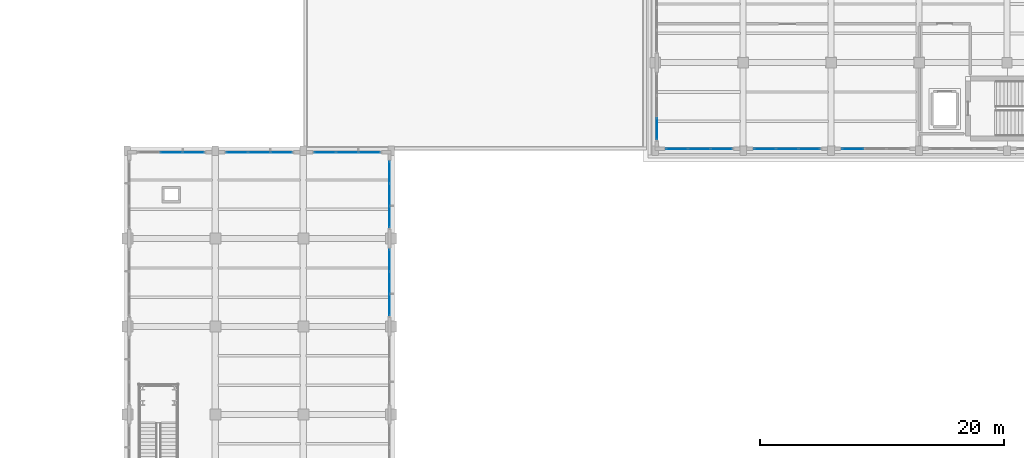
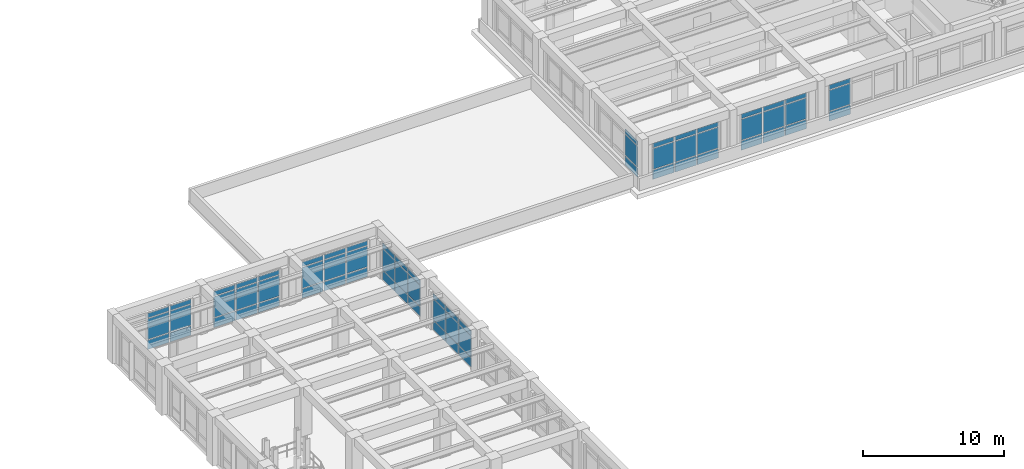
# One storey, part 41 of 69: 66 plates, 9 elements without a shape of their own.
"""IFC4 building model written with IfcOpenShell, lengths in metres."""

from ifc_helpers import new_model, si_unit, direction, frame, origin, origin_2d, place, context, subcontext, project, spatial, rectangle, extrude, material, layer, layer_set, type_object, element, aggregate, save


model = new_model("IFC4")

# Units and contexts
model_context = context("Model", 3, precision=1e-05, world=origin(), true_north=direction((0.0, 1.0)))
body_context = subcontext(model_context, "Body", "Model", "MODEL_VIEW")
ifc_project = project(units=[si_unit("LENGTHUNIT", "METRE"), si_unit("AREAUNIT", "SQUARE_METRE"), si_unit("VOLUMEUNIT", "CUBIC_METRE"), si_unit("PLANEANGLEUNIT", "RADIAN"), si_unit("MASSUNIT", "GRAM", prefix="KILO")], contexts=[model_context])

# Site, building, storey
site_placement = place(None, origin())
site = spatial("IfcSite", under=ifc_project, at=site_placement, CompositionType="ELEMENT")
building_placement = place(site_placement, origin())
building = spatial("IfcBuilding", under=site, at=building_placement, Name="Solenvale Faculty of Natural Sciences", CompositionType="ELEMENT")
storey_placement = place(building_placement, frame((0.0, 0.0, 4.5)))
storey = spatial("IfcBuildingStorey", under=building, at=storey_placement, Name="L01", CompositionType="ELEMENT", Elevation=4.5)

# Curtain wall, plates
ifc_material_1 = material(Name="Anodised bronze aluminium", Category="aluminium")
ifc_layer_1 = layer(ifc_material_1, 0.215087890625)
ifc_layer_set_1 = layer_set([ifc_layer_1], Name="Anodised bronze aluminium")
curtain_wall_type_1 = type_object("IfcCurtainWallType", Name="CW-ATR-UNIT", PredefinedType="USERDEFINED", material=ifc_layer_set_1)
curtain_wall_1_placement = place(storey_placement, origin())
curtain_wall_1 = element("IfcCurtainWall", 1, at=curtain_wall_1_placement, inside=storey, type_object=curtain_wall_type_1, Name="L01 Curtain Wall CW-L01-P1-E13-B1", ObjectType="UNITISED CURTAIN WALL", PredefinedType="USERDEFINED")
ifc_material_2 = material(Name="North-light skylight glass", Category="glass")
ifc_layer_2 = layer(ifc_material_2, 0.028076171875)
ifc_layer_set_2 = layer_set([ifc_layer_2], Name="North-light skylight glass")
plate_type_1 = type_object("IfcPlateType", Name="CWP-PNL-28", PredefinedType="CURTAIN_PANEL", material=ifc_layer_set_2)
plate_1_placement = place(storey_placement, frame((55.814697265625, 93.45751953125, 0.074951171875), z_axis=(0.0, 0.0, 1.0), x_axis=(-1.0, 0.0, 0.0)))
plate_1 = element("IfcPlate", 2, at=plate_1_placement, type_object=plate_type_1, Name="CW-01 panel 1.1", PredefinedType="CURTAIN_PANEL", context=body_context, shape_type="SweptSolid", body=[
    extrude(rectangle(XDim=1.720947265625, YDim=0.028076171875, at=origin_2d()), origin(), (0.0, 0.0, 1.0), 0.78759765625),
])
plate_2_placement = place(storey_placement, frame((55.814697265625, 93.45751953125, 0.9375), z_axis=(0.0, 0.0, 1.0), x_axis=(-1.0, 0.0, 0.0)))
plate_2 = element("IfcPlate", 3, at=plate_2_placement, type_object=plate_type_1, Name="CW-01 panel 1.2", PredefinedType="CURTAIN_PANEL", context=body_context, shape_type="SweptSolid", body=[
    extrude(rectangle(XDim=1.720947265625, YDim=0.028076171875, at=origin_2d()), origin(), (0.0, 0.0, 1.0), 1.784912109375),
])
plate_3_placement = place(storey_placement, frame((55.814697265625, 93.45751953125, 2.79736328125), z_axis=(0.0, 0.0, 1.0), x_axis=(-1.0, 0.0, 0.0)))
plate_3 = element("IfcPlate", 4, at=plate_3_placement, type_object=plate_type_1, Name="CW-01 panel 1.3", PredefinedType="CURTAIN_PANEL", context=body_context, shape_type="SweptSolid", body=[
    extrude(rectangle(XDim=1.720947265625, YDim=0.028076171875, at=origin_2d()), origin(), (0.0, 0.0, 1.0), 0.387451171875),
])
plate_4_placement = place(storey_placement, frame((54.0, 93.45751953125, 0.074951171875), z_axis=(0.0, 0.0, 1.0), x_axis=(-1.0, 0.0, 0.0)))
plate_4 = element("IfcPlate", 5, at=plate_4_placement, type_object=plate_type_1, Name="CW-01 panel 2.1", PredefinedType="CURTAIN_PANEL", context=body_context, shape_type="SweptSolid", body=[
    extrude(rectangle(XDim=1.75830078125, YDim=0.028076171875, at=origin_2d()), origin(), (0.0, 0.0, 1.0), 0.78759765625),
])
plate_5_placement = place(storey_placement, frame((54.0, 93.45751953125, 0.9375), z_axis=(0.0, 0.0, 1.0), x_axis=(-1.0, 0.0, 0.0)))
plate_5 = element("IfcPlate", 6, at=plate_5_placement, type_object=plate_type_1, Name="CW-01 panel 2.2", PredefinedType="CURTAIN_PANEL", context=body_context, shape_type="SweptSolid", body=[
    extrude(rectangle(XDim=1.75830078125, YDim=0.028076171875, at=origin_2d()), origin(), (0.0, 0.0, 1.0), 1.784912109375),
])
plate_6_placement = place(storey_placement, frame((54.0, 93.45751953125, 2.79736328125), z_axis=(0.0, 0.0, 1.0), x_axis=(-1.0, 0.0, 0.0)))
plate_6 = element("IfcPlate", 7, at=plate_6_placement, type_object=plate_type_1, Name="CW-01 panel 2.3", PredefinedType="CURTAIN_PANEL", context=body_context, shape_type="SweptSolid", body=[
    extrude(rectangle(XDim=1.75830078125, YDim=0.028076171875, at=origin_2d()), origin(), (0.0, 0.0, 1.0), 0.387451171875),
])
plate_7_placement = place(storey_placement, frame((52.185302734375, 93.45751953125, 0.074951171875), z_axis=(0.0, 0.0, 1.0), x_axis=(-1.0, 0.0, 0.0)))
plate_7 = element("IfcPlate", 8, at=plate_7_placement, type_object=plate_type_1, Name="CW-01 panel 3.1", PredefinedType="CURTAIN_PANEL", context=body_context, shape_type="SweptSolid", body=[
    extrude(rectangle(XDim=1.720947265625, YDim=0.028076171875, at=origin_2d()), origin(), (0.0, 0.0, 1.0), 0.78759765625),
])
plate_8_placement = place(storey_placement, frame((52.185302734375, 93.45751953125, 0.9375), z_axis=(0.0, 0.0, 1.0), x_axis=(-1.0, 0.0, 0.0)))
plate_8 = element("IfcPlate", 9, at=plate_8_placement, type_object=plate_type_1, Name="CW-01 panel 3.2", PredefinedType="CURTAIN_PANEL", context=body_context, shape_type="SweptSolid", body=[
    extrude(rectangle(XDim=1.720947265625, YDim=0.028076171875, at=origin_2d()), origin(), (0.0, 0.0, 1.0), 1.784912109375),
])
plate_9_placement = place(storey_placement, frame((52.185302734375, 93.45751953125, 2.79736328125), z_axis=(0.0, 0.0, 1.0), x_axis=(-1.0, 0.0, 0.0)))
plate_9 = element("IfcPlate", 10, at=plate_9_placement, type_object=plate_type_1, Name="CW-01 panel 3.3", PredefinedType="CURTAIN_PANEL", context=body_context, shape_type="SweptSolid", body=[
    extrude(rectangle(XDim=1.720947265625, YDim=0.028076171875, at=origin_2d()), origin(), (0.0, 0.0, 1.0), 0.387451171875),
])
aggregate(curtain_wall_1, [plate_1, plate_2, plate_3, plate_4, plate_5, plate_6, plate_7, plate_8, plate_9])

curtain_wall_2_placement = place(storey_placement, origin())
curtain_wall_2 = element("IfcCurtainWall", 11, at=curtain_wall_2_placement, inside=storey, type_object=curtain_wall_type_1, Name="L01 Curtain Wall CW-L01-P1-E13-B2", ObjectType="UNITISED CURTAIN WALL", PredefinedType="USERDEFINED")
ifc_material_3 = material(Name="Triple low-E insulated glass", Category="glass")
ifc_layer_3 = layer(ifc_material_3, 0.031982421875)
ifc_layer_set_3 = layer_set([ifc_layer_3], Name="Triple low-E insulated glass")
plate_type_2 = type_object("IfcPlateType", Name="CWP-PNL-32", PredefinedType="CURTAIN_PANEL", material=ifc_layer_set_3)
plate_10_placement = place(storey_placement, frame((48.614501953125, 93.45751953125, 0.074951171875), z_axis=(0.0, 0.0, 1.0), x_axis=(-1.0, 0.0, 0.0)))
plate_10 = element("IfcPlate", 12, at=plate_10_placement, type_object=plate_type_2, Name="CW-01 panel 1.1", PredefinedType="CURTAIN_PANEL", context=body_context, shape_type="SweptSolid", body=[
    extrude(rectangle(XDim=1.720947265625, YDim=0.031982421875, at=origin_2d()), origin(), (0.0, 0.0, 1.0), 0.78759765625),
])
plate_11_placement = place(storey_placement, frame((48.614501953125, 93.45751953125, 0.9375), z_axis=(0.0, 0.0, 1.0), x_axis=(-1.0, 0.0, 0.0)))
plate_11 = element("IfcPlate", 13, at=plate_11_placement, type_object=plate_type_2, Name="CW-01 panel 1.2", PredefinedType="CURTAIN_PANEL", context=body_context, shape_type="SweptSolid", body=[
    extrude(rectangle(XDim=1.720947265625, YDim=0.031982421875, at=origin_2d()), origin(), (0.0, 0.0, 1.0), 1.784912109375),
])
plate_12_placement = place(storey_placement, frame((48.614501953125, 93.45751953125, 2.79736328125), z_axis=(0.0, 0.0, 1.0), x_axis=(-1.0, 0.0, 0.0)))
plate_12 = element("IfcPlate", 14, at=plate_12_placement, type_object=plate_type_2, Name="CW-01 panel 1.3", PredefinedType="CURTAIN_PANEL", context=body_context, shape_type="SweptSolid", body=[
    extrude(rectangle(XDim=1.720947265625, YDim=0.031982421875, at=origin_2d()), origin(), (0.0, 0.0, 1.0), 0.387451171875),
])
plate_13_placement = place(storey_placement, frame((46.800048828125, 93.45751953125, 0.074951171875), z_axis=(0.0, 0.0, 1.0), x_axis=(-1.0, 0.0, 0.0)))
plate_13 = element("IfcPlate", 15, at=plate_13_placement, type_object=plate_type_2, Name="CW-01 panel 2.1", PredefinedType="CURTAIN_PANEL", context=body_context, shape_type="SweptSolid", body=[
    extrude(rectangle(XDim=1.75830078125, YDim=0.031982421875, at=origin_2d()), origin(), (0.0, 0.0, 1.0), 0.78759765625),
])
plate_14_placement = place(storey_placement, frame((46.800048828125, 93.45751953125, 0.9375), z_axis=(0.0, 0.0, 1.0), x_axis=(-1.0, 0.0, 0.0)))
plate_14 = element("IfcPlate", 16, at=plate_14_placement, type_object=plate_type_2, Name="CW-01 panel 2.2", PredefinedType="CURTAIN_PANEL", context=body_context, shape_type="SweptSolid", body=[
    extrude(rectangle(XDim=1.75830078125, YDim=0.031982421875, at=origin_2d()), origin(), (0.0, 0.0, 1.0), 1.784912109375),
])
plate_15_placement = place(storey_placement, frame((46.800048828125, 93.45751953125, 2.79736328125), z_axis=(0.0, 0.0, 1.0), x_axis=(-1.0, 0.0, 0.0)))
plate_15 = element("IfcPlate", 17, at=plate_15_placement, type_object=plate_type_2, Name="CW-01 panel 2.3", PredefinedType="CURTAIN_PANEL", context=body_context, shape_type="SweptSolid", body=[
    extrude(rectangle(XDim=1.75830078125, YDim=0.031982421875, at=origin_2d()), origin(), (0.0, 0.0, 1.0), 0.387451171875),
])
plate_16_placement = place(storey_placement, frame((44.9853515625, 93.45751953125, 0.074951171875), z_axis=(0.0, 0.0, 1.0), x_axis=(-1.0, 0.0, 0.0)))
plate_16 = element("IfcPlate", 18, at=plate_16_placement, type_object=plate_type_2, Name="CW-01 panel 3.1", PredefinedType="CURTAIN_PANEL", context=body_context, shape_type="SweptSolid", body=[
    extrude(rectangle(XDim=1.720947265625, YDim=0.031982421875, at=origin_2d()), origin(), (0.0, 0.0, 1.0), 0.78759765625),
])
plate_17_placement = place(storey_placement, frame((44.9853515625, 93.45751953125, 0.9375), z_axis=(0.0, 0.0, 1.0), x_axis=(-1.0, 0.0, 0.0)))
plate_17 = element("IfcPlate", 19, at=plate_17_placement, type_object=plate_type_2, Name="CW-01 panel 3.2", PredefinedType="CURTAIN_PANEL", context=body_context, shape_type="SweptSolid", body=[
    extrude(rectangle(XDim=1.720947265625, YDim=0.031982421875, at=origin_2d()), origin(), (0.0, 0.0, 1.0), 1.784912109375),
])
plate_18_placement = place(storey_placement, frame((44.9853515625, 93.45751953125, 2.79736328125), z_axis=(0.0, 0.0, 1.0), x_axis=(-1.0, 0.0, 0.0)))
plate_18 = element("IfcPlate", 20, at=plate_18_placement, type_object=plate_type_2, Name="CW-01 panel 3.3", PredefinedType="CURTAIN_PANEL", context=body_context, shape_type="SweptSolid", body=[
    extrude(rectangle(XDim=1.720947265625, YDim=0.031982421875, at=origin_2d()), origin(), (0.0, 0.0, 1.0), 0.387451171875),
])
aggregate(curtain_wall_2, [plate_10, plate_11, plate_12, plate_13, plate_14, plate_15, plate_16, plate_17, plate_18])

ifc_layer_4 = layer(ifc_material_1, 0.179931640625)
ifc_layer_set_4 = layer_set([ifc_layer_4], Name="Anodised bronze aluminium")
curtain_wall_type_2 = type_object("IfcCurtainWallType", Name="CW-TWR-MOD", PredefinedType="USERDEFINED", material=ifc_layer_set_4)
curtain_wall_3_placement = place(storey_placement, origin())
curtain_wall_3 = element("IfcCurtainWall", 21, at=curtain_wall_3_placement, inside=storey, type_object=curtain_wall_type_2, Name="L01 Curtain Wall CW-L01-P2-E6-B1", ObjectType="UNITISED CURTAIN WALL", PredefinedType="USERDEFINED")
plate_19_placement = place(storey_placement, frame((80.9853515625, 93.742431640625, 0.074951171875), z_axis=(0.0, 0.0, 1.0), x_axis=(1.0, 0.0, 0.0)))
plate_19 = element("IfcPlate", 22, at=plate_19_placement, type_object=plate_type_2, Name="CW-04 panel 1.1", PredefinedType="CURTAIN_PANEL", context=body_context, shape_type="SweptSolid", body=[
    extrude(rectangle(XDim=1.720947265625, YDim=0.031982421875, at=origin_2d()), origin(), (0.0, 0.0, 1.0), 0.78759765625),
])
plate_20_placement = place(storey_placement, frame((80.9853515625, 93.742431640625, 0.9375), z_axis=(0.0, 0.0, 1.0), x_axis=(1.0, 0.0, 0.0)))
plate_20 = element("IfcPlate", 23, at=plate_20_placement, type_object=plate_type_2, Name="CW-04 panel 1.2", PredefinedType="CURTAIN_PANEL", context=body_context, shape_type="SweptSolid", body=[
    extrude(rectangle(XDim=1.720947265625, YDim=0.031982421875, at=origin_2d()), origin(), (0.0, 0.0, 1.0), 1.784912109375),
])
plate_21_placement = place(storey_placement, frame((80.9853515625, 93.742431640625, 2.79736328125), z_axis=(0.0, 0.0, 1.0), x_axis=(1.0, 0.0, 0.0)))
plate_21 = element("IfcPlate", 24, at=plate_21_placement, type_object=plate_type_2, Name="CW-04 panel 1.3", PredefinedType="CURTAIN_PANEL", context=body_context, shape_type="SweptSolid", body=[
    extrude(rectangle(XDim=1.720947265625, YDim=0.031982421875, at=origin_2d()), origin(), (0.0, 0.0, 1.0), 0.387451171875),
])
plate_22_placement = place(storey_placement, frame((82.800048828125, 93.742431640625, 0.074951171875), z_axis=(0.0, 0.0, 1.0), x_axis=(1.0, 0.0, 0.0)))
plate_22 = element("IfcPlate", 25, at=plate_22_placement, type_object=plate_type_2, Name="CW-04 panel 2.1", PredefinedType="CURTAIN_PANEL", context=body_context, shape_type="SweptSolid", body=[
    extrude(rectangle(XDim=1.75830078125, YDim=0.031982421875, at=origin_2d()), origin(), (0.0, 0.0, 1.0), 0.78759765625),
])
plate_23_placement = place(storey_placement, frame((82.800048828125, 93.742431640625, 0.9375), z_axis=(0.0, 0.0, 1.0), x_axis=(1.0, 0.0, 0.0)))
plate_23 = element("IfcPlate", 26, at=plate_23_placement, type_object=plate_type_2, Name="CW-04 panel 2.2", PredefinedType="CURTAIN_PANEL", context=body_context, shape_type="SweptSolid", body=[
    extrude(rectangle(XDim=1.75830078125, YDim=0.031982421875, at=origin_2d()), origin(), (0.0, 0.0, 1.0), 1.784912109375),
])
plate_24_placement = place(storey_placement, frame((82.800048828125, 93.742431640625, 2.79736328125), z_axis=(0.0, 0.0, 1.0), x_axis=(1.0, 0.0, 0.0)))
plate_24 = element("IfcPlate", 27, at=plate_24_placement, type_object=plate_type_2, Name="CW-04 panel 2.3", PredefinedType="CURTAIN_PANEL", context=body_context, shape_type="SweptSolid", body=[
    extrude(rectangle(XDim=1.75830078125, YDim=0.031982421875, at=origin_2d()), origin(), (0.0, 0.0, 1.0), 0.387451171875),
])
plate_25_placement = place(storey_placement, frame((84.614501953125, 93.742431640625, 0.074951171875), z_axis=(0.0, 0.0, 1.0), x_axis=(1.0, 0.0, 0.0)))
plate_25 = element("IfcPlate", 28, at=plate_25_placement, type_object=plate_type_2, Name="CW-04 panel 3.1", PredefinedType="CURTAIN_PANEL", context=body_context, shape_type="SweptSolid", body=[
    extrude(rectangle(XDim=1.720947265625, YDim=0.031982421875, at=origin_2d()), origin(), (0.0, 0.0, 1.0), 0.78759765625),
])
plate_26_placement = place(storey_placement, frame((84.614501953125, 93.742431640625, 0.9375), z_axis=(0.0, 0.0, 1.0), x_axis=(1.0, 0.0, 0.0)))
plate_26 = element("IfcPlate", 29, at=plate_26_placement, type_object=plate_type_2, Name="CW-04 panel 3.2", PredefinedType="CURTAIN_PANEL", context=body_context, shape_type="SweptSolid", body=[
    extrude(rectangle(XDim=1.720947265625, YDim=0.031982421875, at=origin_2d()), origin(), (0.0, 0.0, 1.0), 1.784912109375),
])
plate_27_placement = place(storey_placement, frame((84.614501953125, 93.742431640625, 2.79736328125), z_axis=(0.0, 0.0, 1.0), x_axis=(1.0, 0.0, 0.0)))
plate_27 = element("IfcPlate", 30, at=plate_27_placement, type_object=plate_type_2, Name="CW-04 panel 3.3", PredefinedType="CURTAIN_PANEL", context=body_context, shape_type="SweptSolid", body=[
    extrude(rectangle(XDim=1.720947265625, YDim=0.031982421875, at=origin_2d()), origin(), (0.0, 0.0, 1.0), 0.387451171875),
])
aggregate(curtain_wall_3, [plate_19, plate_20, plate_21, plate_22, plate_23, plate_24, plate_25, plate_26, plate_27])

curtain_wall_4_placement = place(storey_placement, origin())
curtain_wall_4 = element("IfcCurtainWall", 31, at=curtain_wall_4_placement, inside=storey, type_object=curtain_wall_type_1, Name="L01 Curtain Wall CW-L01-P1-E13-B3", ObjectType="UNITISED CURTAIN WALL", PredefinedType="USERDEFINED")
ifc_layer_5 = layer(ifc_material_3, 0.035888671875)
ifc_layer_set_5 = layer_set([ifc_layer_5], Name="Triple low-E insulated glass")
plate_type_3 = type_object("IfcPlateType", Name="CWP-PNL-36", PredefinedType="CURTAIN_PANEL", material=ifc_layer_set_5)
plate_28_placement = place(storey_placement, frame((41.41455078125, 93.45751953125, 0.074951171875), z_axis=(0.0, 0.0, 1.0), x_axis=(-1.0, 0.0, 0.0)))
plate_28 = element("IfcPlate", 32, at=plate_28_placement, type_object=plate_type_3, Name="CW-01 panel 1.1", PredefinedType="CURTAIN_PANEL", context=body_context, shape_type="SweptSolid", body=[
    extrude(rectangle(XDim=1.720947265625, YDim=0.035888671875, at=origin_2d()), origin(), (0.0, 0.0, 1.0), 0.78759765625),
])
plate_29_placement = place(storey_placement, frame((41.41455078125, 93.45751953125, 0.9375), z_axis=(0.0, 0.0, 1.0), x_axis=(-1.0, 0.0, 0.0)))
plate_29 = element("IfcPlate", 33, at=plate_29_placement, type_object=plate_type_3, Name="CW-01 panel 1.2", PredefinedType="CURTAIN_PANEL", context=body_context, shape_type="SweptSolid", body=[
    extrude(rectangle(XDim=1.720947265625, YDim=0.035888671875, at=origin_2d()), origin(), (0.0, 0.0, 1.0), 1.784912109375),
])
plate_30_placement = place(storey_placement, frame((41.41455078125, 93.45751953125, 2.79736328125), z_axis=(0.0, 0.0, 1.0), x_axis=(-1.0, 0.0, 0.0)))
plate_30 = element("IfcPlate", 34, at=plate_30_placement, type_object=plate_type_3, Name="CW-01 panel 1.3", PredefinedType="CURTAIN_PANEL", context=body_context, shape_type="SweptSolid", body=[
    extrude(rectangle(XDim=1.720947265625, YDim=0.035888671875, at=origin_2d()), origin(), (0.0, 0.0, 1.0), 0.387451171875),
])
plate_31_placement = place(storey_placement, frame((39.60009765625, 93.45751953125, 0.074951171875), z_axis=(0.0, 0.0, 1.0), x_axis=(-1.0, 0.0, 0.0)))
plate_31 = element("IfcPlate", 35, at=plate_31_placement, type_object=plate_type_3, Name="CW-01 panel 2.1", PredefinedType="CURTAIN_PANEL", context=body_context, shape_type="SweptSolid", body=[
    extrude(rectangle(XDim=1.75830078125, YDim=0.035888671875, at=origin_2d()), origin(), (0.0, 0.0, 1.0), 0.78759765625),
])
plate_32_placement = place(storey_placement, frame((39.60009765625, 93.45751953125, 0.9375), z_axis=(0.0, 0.0, 1.0), x_axis=(-1.0, 0.0, 0.0)))
plate_32 = element("IfcPlate", 36, at=plate_32_placement, type_object=plate_type_3, Name="CW-01 panel 2.2", PredefinedType="CURTAIN_PANEL", context=body_context, shape_type="SweptSolid", body=[
    extrude(rectangle(XDim=1.75830078125, YDim=0.035888671875, at=origin_2d()), origin(), (0.0, 0.0, 1.0), 1.784912109375),
])
plate_33_placement = place(storey_placement, frame((39.60009765625, 93.45751953125, 2.79736328125), z_axis=(0.0, 0.0, 1.0), x_axis=(-1.0, 0.0, 0.0)))
plate_33 = element("IfcPlate", 37, at=plate_33_placement, type_object=plate_type_3, Name="CW-01 panel 2.3", PredefinedType="CURTAIN_PANEL", context=body_context, shape_type="SweptSolid", body=[
    extrude(rectangle(XDim=1.75830078125, YDim=0.035888671875, at=origin_2d()), origin(), (0.0, 0.0, 1.0), 0.387451171875),
])
aggregate(curtain_wall_4, [plate_28, plate_29, plate_30, plate_31, plate_32, plate_33])

curtain_wall_5_placement = place(storey_placement, origin())
curtain_wall_5 = element("IfcCurtainWall", 38, at=curtain_wall_5_placement, inside=storey, type_object=curtain_wall_type_2, Name="L01 Curtain Wall CW-L01-P2-E5-B3", ObjectType="UNITISED CURTAIN WALL", PredefinedType="USERDEFINED")
plate_34_placement = place(storey_placement, frame((79.342529296875, 95.385498046875, 0.074951171875), z_axis=(0.0, 0.0, 1.0), x_axis=(0.0, -1.0, 0.0)))
plate_34 = element("IfcPlate", 39, at=plate_34_placement, type_object=plate_type_3, Name="CW-04 panel 3.1", PredefinedType="CURTAIN_PANEL", context=body_context, shape_type="SweptSolid", body=[
    extrude(rectangle(XDim=1.720947265625, YDim=0.035888671875, at=origin_2d()), origin(), (0.0, 0.0, 1.0), 0.78759765625),
])
plate_35_placement = place(storey_placement, frame((79.342529296875, 95.385498046875, 0.9375), z_axis=(0.0, 0.0, 1.0), x_axis=(0.0, -1.0, 0.0)))
plate_35 = element("IfcPlate", 40, at=plate_35_placement, type_object=plate_type_3, Name="CW-04 panel 3.2", PredefinedType="CURTAIN_PANEL", context=body_context, shape_type="SweptSolid", body=[
    extrude(rectangle(XDim=1.720947265625, YDim=0.035888671875, at=origin_2d()), origin(), (0.0, 0.0, 1.0), 1.784912109375),
])
plate_36_placement = place(storey_placement, frame((79.342529296875, 95.385498046875, 2.79736328125), z_axis=(0.0, 0.0, 1.0), x_axis=(0.0, -1.0, 0.0)))
plate_36 = element("IfcPlate", 41, at=plate_36_placement, type_object=plate_type_3, Name="CW-04 panel 3.3", PredefinedType="CURTAIN_PANEL", context=body_context, shape_type="SweptSolid", body=[
    extrude(rectangle(XDim=1.720947265625, YDim=0.035888671875, at=origin_2d()), origin(), (0.0, 0.0, 1.0), 0.387451171875),
])
aggregate(curtain_wall_5, [plate_34, plate_35, plate_36])

curtain_wall_6_placement = place(storey_placement, origin())
curtain_wall_6 = element("IfcCurtainWall", 42, at=curtain_wall_6_placement, inside=storey, type_object=curtain_wall_type_2, Name="L01 Curtain Wall CW-L01-P2-E6-B2", ObjectType="UNITISED CURTAIN WALL", PredefinedType="USERDEFINED")
plate_37_placement = place(storey_placement, frame((88.185302734375, 93.742431640625, 0.074951171875), z_axis=(0.0, 0.0, 1.0), x_axis=(1.0, 0.0, 0.0)))
plate_37 = element("IfcPlate", 43, at=plate_37_placement, type_object=plate_type_3, Name="CW-04 panel 1.1", PredefinedType="CURTAIN_PANEL", context=body_context, shape_type="SweptSolid", body=[
    extrude(rectangle(XDim=1.720947265625, YDim=0.035888671875, at=origin_2d()), origin(), (0.0, 0.0, 1.0), 0.78759765625),
])
plate_38_placement = place(storey_placement, frame((88.185302734375, 93.742431640625, 0.9375), z_axis=(0.0, 0.0, 1.0), x_axis=(1.0, 0.0, 0.0)))
plate_38 = element("IfcPlate", 44, at=plate_38_placement, type_object=plate_type_3, Name="CW-04 panel 1.2", PredefinedType="CURTAIN_PANEL", context=body_context, shape_type="SweptSolid", body=[
    extrude(rectangle(XDim=1.720947265625, YDim=0.035888671875, at=origin_2d()), origin(), (0.0, 0.0, 1.0), 1.784912109375),
])
plate_39_placement = place(storey_placement, frame((88.185302734375, 93.742431640625, 2.79736328125), z_axis=(0.0, 0.0, 1.0), x_axis=(1.0, 0.0, 0.0)))
plate_39 = element("IfcPlate", 45, at=plate_39_placement, type_object=plate_type_3, Name="CW-04 panel 1.3", PredefinedType="CURTAIN_PANEL", context=body_context, shape_type="SweptSolid", body=[
    extrude(rectangle(XDim=1.720947265625, YDim=0.035888671875, at=origin_2d()), origin(), (0.0, 0.0, 1.0), 0.387451171875),
])
plate_40_placement = place(storey_placement, frame((90.0, 93.742431640625, 0.074951171875), z_axis=(0.0, 0.0, 1.0), x_axis=(1.0, 0.0, 0.0)))
plate_40 = element("IfcPlate", 46, at=plate_40_placement, type_object=plate_type_3, Name="CW-04 panel 2.1", PredefinedType="CURTAIN_PANEL", context=body_context, shape_type="SweptSolid", body=[
    extrude(rectangle(XDim=1.75830078125, YDim=0.035888671875, at=origin_2d()), origin(), (0.0, 0.0, 1.0), 0.78759765625),
])
plate_41_placement = place(storey_placement, frame((90.0, 93.742431640625, 0.9375), z_axis=(0.0, 0.0, 1.0), x_axis=(1.0, 0.0, 0.0)))
plate_41 = element("IfcPlate", 47, at=plate_41_placement, type_object=plate_type_3, Name="CW-04 panel 2.2", PredefinedType="CURTAIN_PANEL", context=body_context, shape_type="SweptSolid", body=[
    extrude(rectangle(XDim=1.75830078125, YDim=0.035888671875, at=origin_2d()), origin(), (0.0, 0.0, 1.0), 1.784912109375),
])
plate_42_placement = place(storey_placement, frame((90.0, 93.742431640625, 2.79736328125), z_axis=(0.0, 0.0, 1.0), x_axis=(1.0, 0.0, 0.0)))
plate_42 = element("IfcPlate", 48, at=plate_42_placement, type_object=plate_type_3, Name="CW-04 panel 2.3", PredefinedType="CURTAIN_PANEL", context=body_context, shape_type="SweptSolid", body=[
    extrude(rectangle(XDim=1.75830078125, YDim=0.035888671875, at=origin_2d()), origin(), (0.0, 0.0, 1.0), 0.387451171875),
])
plate_43_placement = place(storey_placement, frame((91.814697265625, 93.742431640625, 0.074951171875), z_axis=(0.0, 0.0, 1.0), x_axis=(1.0, 0.0, 0.0)))
plate_43 = element("IfcPlate", 49, at=plate_43_placement, type_object=plate_type_3, Name="CW-04 panel 3.1", PredefinedType="CURTAIN_PANEL", context=body_context, shape_type="SweptSolid", body=[
    extrude(rectangle(XDim=1.720947265625, YDim=0.035888671875, at=origin_2d()), origin(), (0.0, 0.0, 1.0), 0.78759765625),
])
plate_44_placement = place(storey_placement, frame((91.814697265625, 93.742431640625, 0.9375), z_axis=(0.0, 0.0, 1.0), x_axis=(1.0, 0.0, 0.0)))
plate_44 = element("IfcPlate", 50, at=plate_44_placement, type_object=plate_type_3, Name="CW-04 panel 3.2", PredefinedType="CURTAIN_PANEL", context=body_context, shape_type="SweptSolid", body=[
    extrude(rectangle(XDim=1.720947265625, YDim=0.035888671875, at=origin_2d()), origin(), (0.0, 0.0, 1.0), 1.784912109375),
])
plate_45_placement = place(storey_placement, frame((91.814697265625, 93.742431640625, 2.79736328125), z_axis=(0.0, 0.0, 1.0), x_axis=(1.0, 0.0, 0.0)))
plate_45 = element("IfcPlate", 51, at=plate_45_placement, type_object=plate_type_3, Name="CW-04 panel 3.3", PredefinedType="CURTAIN_PANEL", context=body_context, shape_type="SweptSolid", body=[
    extrude(rectangle(XDim=1.720947265625, YDim=0.035888671875, at=origin_2d()), origin(), (0.0, 0.0, 1.0), 0.387451171875),
])
aggregate(curtain_wall_6, [plate_37, plate_38, plate_39, plate_40, plate_41, plate_42, plate_43, plate_44, plate_45])

curtain_wall_7_placement = place(storey_placement, origin())
curtain_wall_7 = element("IfcCurtainWall", 52, at=curtain_wall_7_placement, inside=storey, type_object=curtain_wall_type_2, Name="L01 Curtain Wall CW-L01-P2-E6-B3", ObjectType="UNITISED CURTAIN WALL", PredefinedType="USERDEFINED")
ifc_layer_6 = layer(ifc_material_3, 0.0400390625)
ifc_layer_set_6 = layer_set([ifc_layer_6], Name="Triple low-E insulated glass")
plate_type_4 = type_object("IfcPlateType", Name="CWP-PNL-40", PredefinedType="CURTAIN_PANEL", material=ifc_layer_set_6)
plate_46_placement = place(storey_placement, frame((95.385498046875, 93.742431640625, 0.074951171875), z_axis=(0.0, 0.0, 1.0), x_axis=(1.0, 0.0, 0.0)))
plate_46 = element("IfcPlate", 53, at=plate_46_placement, type_object=plate_type_4, Name="CW-04 panel 1.1", PredefinedType="CURTAIN_PANEL", context=body_context, shape_type="SweptSolid", body=[
    extrude(rectangle(XDim=1.720947265625, YDim=0.0400390625, at=origin_2d()), origin(), (0.0, 0.0, 1.0), 0.78759765625),
])
plate_47_placement = place(storey_placement, frame((95.385498046875, 93.742431640625, 0.9375), z_axis=(0.0, 0.0, 1.0), x_axis=(1.0, 0.0, 0.0)))
plate_47 = element("IfcPlate", 54, at=plate_47_placement, type_object=plate_type_4, Name="CW-04 panel 1.2", PredefinedType="CURTAIN_PANEL", context=body_context, shape_type="SweptSolid", body=[
    extrude(rectangle(XDim=1.720947265625, YDim=0.0400390625, at=origin_2d()), origin(), (0.0, 0.0, 1.0), 1.784912109375),
])
plate_48_placement = place(storey_placement, frame((95.385498046875, 93.742431640625, 2.79736328125), z_axis=(0.0, 0.0, 1.0), x_axis=(1.0, 0.0, 0.0)))
plate_48 = element("IfcPlate", 55, at=plate_48_placement, type_object=plate_type_4, Name="CW-04 panel 1.3", PredefinedType="CURTAIN_PANEL", context=body_context, shape_type="SweptSolid", body=[
    extrude(rectangle(XDim=1.720947265625, YDim=0.0400390625, at=origin_2d()), origin(), (0.0, 0.0, 1.0), 0.387451171875),
])
aggregate(curtain_wall_7, [plate_46, plate_47, plate_48])

curtain_wall_8_placement = place(storey_placement, origin())
curtain_wall_8 = element("IfcCurtainWall", 56, at=curtain_wall_8_placement, inside=storey, type_object=curtain_wall_type_1, Name="L01 Curtain Wall CW-L01-P1-E12-B6", ObjectType="UNITISED CURTAIN WALL", PredefinedType="USERDEFINED")
ifc_layer_7 = layer(ifc_material_3, 0.0439453125)
ifc_layer_set_7 = layer_set([ifc_layer_7], Name="Triple low-E insulated glass")
plate_type_5 = type_object("IfcPlateType", Name="CWP-PNL-44", PredefinedType="CURTAIN_PANEL", material=ifc_layer_set_7)
plate_49_placement = place(storey_placement, frame((57.45751953125, 80.9853515625, 0.074951171875), z_axis=(0.0, 0.0, 1.0), x_axis=(0.0, 1.0, 0.0)))
plate_49 = element("IfcPlate", 57, at=plate_49_placement, type_object=plate_type_5, Name="CW-01 panel 1.1", PredefinedType="CURTAIN_PANEL", context=body_context, shape_type="SweptSolid", body=[
    extrude(rectangle(XDim=1.720947265625, YDim=0.0439453125, at=origin_2d()), origin(), (0.0, 0.0, 1.0), 0.78759765625),
])
plate_50_placement = place(storey_placement, frame((57.45751953125, 80.9853515625, 0.9375), z_axis=(0.0, 0.0, 1.0), x_axis=(0.0, 1.0, 0.0)))
plate_50 = element("IfcPlate", 58, at=plate_50_placement, type_object=plate_type_5, Name="CW-01 panel 1.2", PredefinedType="CURTAIN_PANEL", context=body_context, shape_type="SweptSolid", body=[
    extrude(rectangle(XDim=1.720947265625, YDim=0.0439453125, at=origin_2d()), origin(), (0.0, 0.0, 1.0), 1.784912109375),
])
plate_51_placement = place(storey_placement, frame((57.45751953125, 80.9853515625, 2.79736328125), z_axis=(0.0, 0.0, 1.0), x_axis=(0.0, 1.0, 0.0)))
plate_51 = element("IfcPlate", 59, at=plate_51_placement, type_object=plate_type_5, Name="CW-01 panel 1.3", PredefinedType="CURTAIN_PANEL", context=body_context, shape_type="SweptSolid", body=[
    extrude(rectangle(XDim=1.720947265625, YDim=0.0439453125, at=origin_2d()), origin(), (0.0, 0.0, 1.0), 0.387451171875),
])
plate_52_placement = place(storey_placement, frame((57.45751953125, 82.800048828125, 0.074951171875), z_axis=(0.0, 0.0, 1.0), x_axis=(0.0, 1.0, 0.0)))
plate_52 = element("IfcPlate", 60, at=plate_52_placement, type_object=plate_type_5, Name="CW-01 panel 2.1", PredefinedType="CURTAIN_PANEL", context=body_context, shape_type="SweptSolid", body=[
    extrude(rectangle(XDim=1.75830078125, YDim=0.0439453125, at=origin_2d()), origin(), (0.0, 0.0, 1.0), 0.78759765625),
])
plate_53_placement = place(storey_placement, frame((57.45751953125, 82.800048828125, 0.9375), z_axis=(0.0, 0.0, 1.0), x_axis=(0.0, 1.0, 0.0)))
plate_53 = element("IfcPlate", 61, at=plate_53_placement, type_object=plate_type_5, Name="CW-01 panel 2.2", PredefinedType="CURTAIN_PANEL", context=body_context, shape_type="SweptSolid", body=[
    extrude(rectangle(XDim=1.75830078125, YDim=0.0439453125, at=origin_2d()), origin(), (0.0, 0.0, 1.0), 1.784912109375),
])
plate_54_placement = place(storey_placement, frame((57.45751953125, 82.800048828125, 2.79736328125), z_axis=(0.0, 0.0, 1.0), x_axis=(0.0, 1.0, 0.0)))
plate_54 = element("IfcPlate", 62, at=plate_54_placement, type_object=plate_type_5, Name="CW-01 panel 2.3", PredefinedType="CURTAIN_PANEL", context=body_context, shape_type="SweptSolid", body=[
    extrude(rectangle(XDim=1.75830078125, YDim=0.0439453125, at=origin_2d()), origin(), (0.0, 0.0, 1.0), 0.387451171875),
])
plate_55_placement = place(storey_placement, frame((57.45751953125, 84.614501953125, 0.074951171875), z_axis=(0.0, 0.0, 1.0), x_axis=(0.0, 1.0, 0.0)))
plate_55 = element("IfcPlate", 63, at=plate_55_placement, type_object=plate_type_5, Name="CW-01 panel 3.1", PredefinedType="CURTAIN_PANEL", context=body_context, shape_type="SweptSolid", body=[
    extrude(rectangle(XDim=1.720947265625, YDim=0.0439453125, at=origin_2d()), origin(), (0.0, 0.0, 1.0), 0.78759765625),
])
plate_56_placement = place(storey_placement, frame((57.45751953125, 84.614501953125, 0.9375), z_axis=(0.0, 0.0, 1.0), x_axis=(0.0, 1.0, 0.0)))
plate_56 = element("IfcPlate", 64, at=plate_56_placement, type_object=plate_type_5, Name="CW-01 panel 3.2", PredefinedType="CURTAIN_PANEL", context=body_context, shape_type="SweptSolid", body=[
    extrude(rectangle(XDim=1.720947265625, YDim=0.0439453125, at=origin_2d()), origin(), (0.0, 0.0, 1.0), 1.784912109375),
])
plate_57_placement = place(storey_placement, frame((57.45751953125, 84.614501953125, 2.79736328125), z_axis=(0.0, 0.0, 1.0), x_axis=(0.0, 1.0, 0.0)))
plate_57 = element("IfcPlate", 65, at=plate_57_placement, type_object=plate_type_5, Name="CW-01 panel 3.3", PredefinedType="CURTAIN_PANEL", context=body_context, shape_type="SweptSolid", body=[
    extrude(rectangle(XDim=1.720947265625, YDim=0.0439453125, at=origin_2d()), origin(), (0.0, 0.0, 1.0), 0.387451171875),
])
aggregate(curtain_wall_8, [plate_49, plate_50, plate_51, plate_52, plate_53, plate_54, plate_55, plate_56, plate_57])

curtain_wall_9_placement = place(storey_placement, origin())
curtain_wall_9 = element("IfcCurtainWall", 66, at=curtain_wall_9_placement, inside=storey, type_object=curtain_wall_type_1, Name="L01 Curtain Wall CW-L01-P1-E12-B7", ObjectType="UNITISED CURTAIN WALL", PredefinedType="USERDEFINED")
ifc_layer_8 = layer(ifc_material_1, 0.048095703125)
ifc_layer_set_8 = layer_set([ifc_layer_8], Name="Anodised bronze aluminium")
plate_type_6 = type_object("IfcPlateType", Name="CWP-PNL-48", PredefinedType="CURTAIN_PANEL", material=ifc_layer_set_8)
plate_58_placement = place(storey_placement, frame((57.45751953125, 88.185302734375, 0.074951171875), z_axis=(0.0, 0.0, 1.0), x_axis=(0.0, 1.0, 0.0)))
plate_58 = element("IfcPlate", 67, at=plate_58_placement, type_object=plate_type_6, Name="CW-01 panel 1.1", PredefinedType="CURTAIN_PANEL", context=body_context, shape_type="SweptSolid", body=[
    extrude(rectangle(XDim=1.720947265625, YDim=0.048095703125, at=origin_2d()), origin(), (0.0, 0.0, 1.0), 0.78759765625),
])
plate_59_placement = place(storey_placement, frame((57.45751953125, 88.185302734375, 0.9375), z_axis=(0.0, 0.0, 1.0), x_axis=(0.0, 1.0, 0.0)))
plate_59 = element("IfcPlate", 68, at=plate_59_placement, type_object=plate_type_6, Name="CW-01 panel 1.2", PredefinedType="CURTAIN_PANEL", context=body_context, shape_type="SweptSolid", body=[
    extrude(rectangle(XDim=1.720947265625, YDim=0.048095703125, at=origin_2d()), origin(), (0.0, 0.0, 1.0), 1.784912109375),
])
plate_60_placement = place(storey_placement, frame((57.45751953125, 88.185302734375, 2.79736328125), z_axis=(0.0, 0.0, 1.0), x_axis=(0.0, 1.0, 0.0)))
plate_60 = element("IfcPlate", 69, at=plate_60_placement, type_object=plate_type_6, Name="CW-01 panel 1.3", PredefinedType="CURTAIN_PANEL", context=body_context, shape_type="SweptSolid", body=[
    extrude(rectangle(XDim=1.720947265625, YDim=0.048095703125, at=origin_2d()), origin(), (0.0, 0.0, 1.0), 0.387451171875),
])
plate_61_placement = place(storey_placement, frame((57.45751953125, 90.0, 0.074951171875), z_axis=(0.0, 0.0, 1.0), x_axis=(0.0, 1.0, 0.0)))
plate_61 = element("IfcPlate", 70, at=plate_61_placement, type_object=plate_type_6, Name="CW-01 panel 2.1", PredefinedType="CURTAIN_PANEL", context=body_context, shape_type="SweptSolid", body=[
    extrude(rectangle(XDim=1.75830078125, YDim=0.048095703125, at=origin_2d()), origin(), (0.0, 0.0, 1.0), 0.78759765625),
])
plate_62_placement = place(storey_placement, frame((57.45751953125, 90.0, 0.9375), z_axis=(0.0, 0.0, 1.0), x_axis=(0.0, 1.0, 0.0)))
plate_62 = element("IfcPlate", 71, at=plate_62_placement, type_object=plate_type_6, Name="CW-01 panel 2.2", PredefinedType="CURTAIN_PANEL", context=body_context, shape_type="SweptSolid", body=[
    extrude(rectangle(XDim=1.75830078125, YDim=0.048095703125, at=origin_2d()), origin(), (0.0, 0.0, 1.0), 1.784912109375),
])
plate_63_placement = place(storey_placement, frame((57.45751953125, 90.0, 2.79736328125), z_axis=(0.0, 0.0, 1.0), x_axis=(0.0, 1.0, 0.0)))
plate_63 = element("IfcPlate", 72, at=plate_63_placement, type_object=plate_type_6, Name="CW-01 panel 2.3", PredefinedType="CURTAIN_PANEL", context=body_context, shape_type="SweptSolid", body=[
    extrude(rectangle(XDim=1.75830078125, YDim=0.048095703125, at=origin_2d()), origin(), (0.0, 0.0, 1.0), 0.387451171875),
])
plate_64_placement = place(storey_placement, frame((57.45751953125, 91.814697265625, 0.074951171875), z_axis=(0.0, 0.0, 1.0), x_axis=(0.0, 1.0, 0.0)))
plate_64 = element("IfcPlate", 73, at=plate_64_placement, type_object=plate_type_6, Name="CW-01 panel 3.1", PredefinedType="CURTAIN_PANEL", context=body_context, shape_type="SweptSolid", body=[
    extrude(rectangle(XDim=1.720947265625, YDim=0.048095703125, at=origin_2d()), origin(), (0.0, 0.0, 1.0), 0.78759765625),
])
plate_65_placement = place(storey_placement, frame((57.45751953125, 91.814697265625, 0.9375), z_axis=(0.0, 0.0, 1.0), x_axis=(0.0, 1.0, 0.0)))
plate_65 = element("IfcPlate", 74, at=plate_65_placement, type_object=plate_type_6, Name="CW-01 panel 3.2", PredefinedType="CURTAIN_PANEL", context=body_context, shape_type="SweptSolid", body=[
    extrude(rectangle(XDim=1.720947265625, YDim=0.048095703125, at=origin_2d()), origin(), (0.0, 0.0, 1.0), 1.784912109375),
])
plate_66_placement = place(storey_placement, frame((57.45751953125, 91.814697265625, 2.79736328125), z_axis=(0.0, 0.0, 1.0), x_axis=(0.0, 1.0, 0.0)))
plate_66 = element("IfcPlate", 75, at=plate_66_placement, type_object=plate_type_6, Name="CW-01 panel 3.3", PredefinedType="CURTAIN_PANEL", context=body_context, shape_type="SweptSolid", body=[
    extrude(rectangle(XDim=1.720947265625, YDim=0.048095703125, at=origin_2d()), origin(), (0.0, 0.0, 1.0), 0.387451171875),
])
aggregate(curtain_wall_9, [plate_58, plate_59, plate_60, plate_61, plate_62, plate_63, plate_64, plate_65, plate_66])

save(model, "model.ifc")
